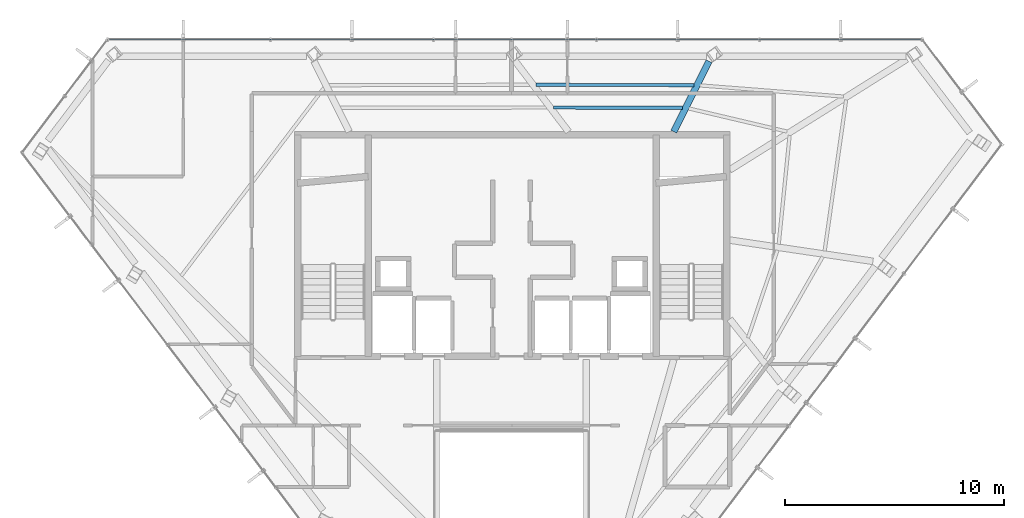
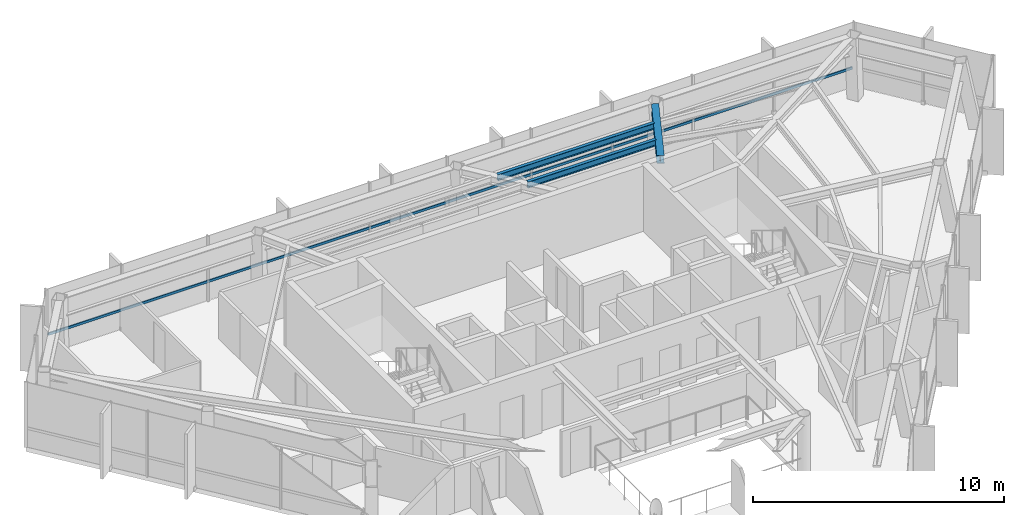
# One storey, part 14 of 25: 3 beams, 1 member, 1 element without a shape of its own.
"""IFC4 building model written with IfcOpenShell, lengths in metres."""

import ifcopenshell
import ifcopenshell.guid

model = None  # the IFC model being written
_history = None  # IfcOwnerHistory: only IFC2X3 demands one
_inside = {}  # id of a spatial element -> (the spatial element, [elements in it])
_under = {}  # id of a project, library or spatial element -> (it, [spatial elements below it])
_declared = {}  # id of a project -> (the project, [libraries it declares])
_typed = {}  # id of a type object -> (the type object, [elements of that type])
_made_of = {}  # id of a material, layer set ... -> (it, [elements and type objects made of it])


def new_model(schema):
    """Start an empty IFC model of exactly this schema.

    Asked for "IFC4X3", IfcOpenShell would pick the latest addendum, in which some entities
    have other attributes; the version numbers below select the first issue.
    IFC2X3 requires an IfcOwnerHistory on every rooted entity: one is made here for all.
    """
    global model, _history
    if schema == "IFC4X3":
        model = ifcopenshell.file(schema_version=(4, 3, 0, 0))
    else:
        model = ifcopenshell.file(schema=schema)
    _inside.clear()
    _under.clear()
    _declared.clear()
    _typed.clear()
    _made_of.clear()
    _history = None
    if model.schema == "IFC2X3":
        org = make("IfcOrganization", Name="unknown")
        user = make(
            "IfcPersonAndOrganization",
            ThePerson=make("IfcPerson", FamilyName="unknown"),
            TheOrganization=org,
        )
        app = make(
            "IfcApplication",
            ApplicationDeveloper=org,
            Version="unknown",
            ApplicationFullName="unknown",
            ApplicationIdentifier="unknown",
        )
        _history = make(
            "IfcOwnerHistory",
            OwningUser=user,
            OwningApplication=app,
            ChangeAction="ADDED",
            CreationDate=0,
        )
    return model


def make(cls, **values):
    """One entity of the class cls with the attributes given. An attribute that is None is left unset."""
    return model.create_entity(
        cls, **{name: value for name, value in values.items() if value is not None}
    )


def rooted(cls, **values):
    """An entity with a GlobalId (a new one), such as an element, a storey or a relation."""
    return make(cls, GlobalId=ifcopenshell.guid.new(), OwnerHistory=_history, **values)


def si_unit(unit_type, name, prefix=None):
    """IfcSIUnit, for example si_unit("LENGTHUNIT", "METRE", prefix="MILLI")."""
    return make("IfcSIUnit", UnitType=unit_type, Prefix=prefix, Name=name)


def assignment(units):
    """IfcUnitAssignment: the units of a project."""
    return None if units is None else make("IfcUnitAssignment", Units=units)


def point(xyz):
    """IfcCartesianPoint."""
    return None if xyz is None else make("IfcCartesianPoint", Coordinates=xyz)


def direction(xyz):
    """IfcDirection."""
    return None if xyz is None else make("IfcDirection", DirectionRatios=xyz)


def frame(location, z_axis=None, x_axis=None):
    """IfcAxis2Placement3D, a coordinate frame: its origin and axes. An axis left out is left unset."""
    return make(
        "IfcAxis2Placement3D",
        Location=point(location),
        Axis=direction(z_axis),
        RefDirection=direction(x_axis),
    )


def frame_2d(location, x_axis=None):
    """IfcAxis2Placement2D, a coordinate frame in the plane: its origin and x axis."""
    return make(
        "IfcAxis2Placement2D", Location=point(location), RefDirection=direction(x_axis)
    )


def origin():
    """The frame at (0, 0, 0) with its axes left unset."""
    return frame((0.0, 0.0, 0.0))


def origin_2d():
    """The frame at (0, 0) in the plane with its x axis left unset."""
    return frame_2d((0.0, 0.0))


def place(relative_to, where):
    """IfcLocalPlacement: puts the frame where relative to a parent placement (None: the world)."""
    return make(
        "IfcLocalPlacement", PlacementRelTo=relative_to, RelativePlacement=where
    )


def context(
    kind, dimensions, precision=None, world=None, true_north=None, identifier=None
):
    """IfcGeometricRepresentationContext, for example the 3D "Model" context."""
    return make(
        "IfcGeometricRepresentationContext",
        ContextIdentifier=identifier,
        ContextType=kind,
        CoordinateSpaceDimension=dimensions,
        Precision=precision,
        WorldCoordinateSystem=world,
        TrueNorth=true_north,
    )


def subcontext(parent, identifier, kind, view, scale=None):
    """IfcGeometricRepresentationSubContext, for example "Body" below "Model"."""
    return make(
        "IfcGeometricRepresentationSubContext",
        ContextIdentifier=identifier,
        ContextType=kind,
        ParentContext=parent,
        TargetScale=scale,
        TargetView=view,
    )


def project(units=None, contexts=None):
    """IfcProject with its units and contexts."""
    return rooted(
        "IfcProject",
        Name="project",
        RepresentationContexts=contexts,
        UnitsInContext=assignment(units),
    )


def spatial(cls, under=None, at=None, **own):
    """A site, building, storey or space (cls), placed at a placement, below another one or the project."""
    s = rooted(cls, ObjectPlacement=at, **own)
    if under is not None:
        _under.setdefault(under.id(), (under, []))[1].append(s)
    return s


def profile(cls, at=None, kind="AREA", **sizes):
    """A parametric profile (cls). Its sizes go by their IFC names, for example OverallWidth=200.0."""
    return make(cls, ProfileType=kind, Position=at, **sizes)


def hollow_rectangle(**sizes):
    """IfcRectangleHollowProfileDef."""
    return profile("IfcRectangleHollowProfileDef", **sizes)


def i_section(**sizes):
    """IfcIShapeProfileDef."""
    return profile("IfcIShapeProfileDef", **sizes)


def extrude(swept, where, along, depth):
    """IfcExtrudedAreaSolid: the profile swept, set in the frame where, extruded along a direction by depth."""
    return make(
        "IfcExtrudedAreaSolid",
        SweptArea=swept,
        Position=where,
        ExtrudedDirection=direction(along),
        Depth=depth,
    )


def shape(context_of_items, identifier, shape_type, items):
    """IfcShapeRepresentation: the items that make up one representation, for example the "Body"."""
    return make(
        "IfcShapeRepresentation",
        ContextOfItems=context_of_items,
        RepresentationIdentifier=identifier,
        RepresentationType=shape_type,
        Items=items,
    )


def material(Name=None, Category=None):
    """IfcMaterial."""
    return make("IfcMaterial", Name=Name, Category=Category)


def layer(
    of_material, thickness, ventilated=None, Name=None, Category=None, Priority=None
):
    """IfcMaterialLayer: one layer of a wall or slab, of a material (None: an air gap)."""
    return make(
        "IfcMaterialLayer",
        Material=of_material,
        LayerThickness=thickness,
        IsVentilated=ventilated,
        Name=Name,
        Category=Category,
        Priority=Priority,
    )


def layer_set(layers, Name=None):
    """IfcMaterialLayerSet."""
    return make("IfcMaterialLayerSet", MaterialLayers=layers, LayerSetName=Name)


def material_profile(
    of_material, cross_section, Name=None, Category=None, Priority=None
):
    """IfcMaterialProfile: a cross section and its material."""
    return make(
        "IfcMaterialProfile",
        Name=Name,
        Material=of_material,
        Profile=cross_section,
        Priority=Priority,
        Category=Category,
    )


def profile_set(profiles, Name=None, composite=None):
    """IfcMaterialProfileSet."""
    return make(
        "IfcMaterialProfileSet",
        Name=Name,
        MaterialProfiles=profiles,
        CompositeProfile=composite,
    )


def made_of(thing, what):
    """Note that an element or type object is made of a material, layer set ...; save() writes the relation."""
    if what is not None:
        _made_of.setdefault(what.id(), (what, []))[1].append(thing)
    return thing


def type_object(cls, material=None, **own):
    """A type object (cls), such as IfcWallType, which elements share."""
    return made_of(rooted(cls, **own), material)


def element(
    cls,
    number,
    at=None,
    inside=None,
    cuts=None,
    type_object=None,
    material=None,
    context=None,
    identifier="Body",
    shape_type=None,
    held_by="IfcProductDefinitionShape",
    body=None,
    shapes=None,
    **own,
):
    """One element of the class cls, such as IfcWall. Its Tag is "e" and its number.

    at: its placement. inside: the storey or other place that contains it. cuts: it is an
    opening in that element (IfcRelVoidsElement). A single representation is given by context,
    identifier, shape_type and body (its items); several are given by shapes. held_by: the class
    of the entity that holds the representations. save() writes the other relations.
    """
    e = rooted(cls, Tag="e%d" % number, ObjectPlacement=at, **own)
    if body is not None:
        shapes = [shape(context, identifier, shape_type, body)]
    if shapes is not None:
        e.Representation = make(held_by, Representations=shapes)
    if inside is not None:
        _inside.setdefault(inside.id(), (inside, []))[1].append(e)
    if cuts is not None:
        rooted(
            "IfcRelVoidsElement", RelatingBuildingElement=cuts, RelatedOpeningElement=e
        )
    if type_object is not None:
        _typed.setdefault(type_object.id(), (type_object, []))[1].append(e)
    return made_of(e, material)


def aggregate(whole, parts):
    """IfcRelAggregates: a whole, such as a stair, and the parts it consists of."""
    return rooted("IfcRelAggregates", RelatingObject=whole, RelatedObjects=parts)


def save(model, path):
    """Write the relations noted so far, then the file.

    IfcRelAggregates (storeys below a building ...), IfcRelContainedInSpatialStructure (elements
    in a storey), IfcRelDefinesByType, IfcRelAssociatesMaterial and IfcRelDeclares: one each for
    every whole, place, type object, material and project.
    """
    for whole, parts in _under.values():
        aggregate(whole, parts)
    for where, things in _inside.values():
        rooted(
            "IfcRelContainedInSpatialStructure",
            RelatedElements=things,
            RelatingStructure=where,
        )
    for kind, things in _typed.values():
        rooted("IfcRelDefinesByType", RelatedObjects=things, RelatingType=kind)
    for what, things in _made_of.values():
        rooted("IfcRelAssociatesMaterial", RelatedObjects=things, RelatingMaterial=what)
    for by, libraries in _declared.values():
        rooted("IfcRelDeclares", RelatingContext=by, RelatedDefinitions=libraries)
    model.write(path)


model = new_model("IFC4")

# Units and contexts
model_context = context("Model", 3, precision=1e-05, world=origin(), true_north=direction((0.0, 1.0)))
body_context = subcontext(model_context, "Body", "Model", "MODEL_VIEW")
ifc_project = project(units=[si_unit("LENGTHUNIT", "METRE"), si_unit("AREAUNIT", "SQUARE_METRE"), si_unit("VOLUMEUNIT", "CUBIC_METRE"), si_unit("PLANEANGLEUNIT", "RADIAN"), si_unit("MASSUNIT", "GRAM", prefix="KILO")], contexts=[model_context])

# Site, building, storey
site_placement = place(None, origin())
site = spatial("IfcSite", under=ifc_project, at=site_placement, CompositionType="ELEMENT")
building_placement = place(site_placement, origin())
building = spatial("IfcBuilding", under=site, at=building_placement, Name="Zarrinselat Tower", CompositionType="ELEMENT")
storey_placement = place(building_placement, frame((0.0, 0.0, 275.39990234375)))
storey = spatial("IfcBuildingStorey", under=building, at=storey_placement, Name="L70", CompositionType="ELEMENT", Elevation=275.39990234375)

# Beams
ifc_material_1 = material(Name="Steel S355J2", Category="steel")
ifc_material_profile_1 = material_profile(ifc_material_1, i_section(OverallWidth=0.300048828125, OverallDepth=0.39990234375, WebThickness=0.013427734375, FlangeThickness=0.02392578125, at=origin_2d()), Name="HEB 400")
ifc_profile_set_1 = profile_set([ifc_material_profile_1], Name="Steel S355J2")
beam_type_1 = type_object("IfcBeamType", Name="BM-HEB400", PredefinedType="BEAM", material=ifc_profile_set_1)
beam_1_placement = place(storey_placement, frame((45.800048828125, 43.5400390625, 2.97998046875), z_axis=(0.446181193945, 0.894942647419, 0.0), x_axis=(-0.894942647419, 0.446181193945, 0.0)))
element("IfcBeam", 1, at=beam_1_placement, inside=storey, type_object=beam_type_1, Name="L70 Radial Primary Girder RG02", PredefinedType="BEAM", context=body_context, shape_type="SweptSolid", body=[
    extrude(i_section(OverallWidth=0.300048828125, OverallDepth=0.39990234375, WebThickness=0.013427734375, FlangeThickness=0.02392578125, at=origin_2d()), origin(), (0.0, 0.0, 1.0), 3.595458984375),
])
ifc_material_2 = material(Name="Steel S355J2", Category="steel")
ifc_material_profile_2 = material_profile(ifc_material_2, i_section(OverallWidth=0.14990234375, OverallDepth=0.300048828125, WebThickness=0.007080078125, FlangeThickness=0.0107421875, at=origin_2d()), Name="IPE 300")
ifc_profile_set_2 = profile_set([ifc_material_profile_2], Name="Steel S355J2")
beam_type_2 = type_object("IfcBeamType", Name="BM-IPE300", PredefinedType="JOIST", material=ifc_profile_set_2)
beam_2_placement = place(storey_placement, frame((39.5244140625, 45.6796875, 3.030029296875), z_axis=(0.999997641548, -0.002171842306, 0.0), x_axis=(0.002171842306, 0.999997641548, 0.0)))
element("IfcBeam", 2, at=beam_2_placement, inside=storey, type_object=beam_type_2, Name="L70 Composite Floor Joist 6-1", PredefinedType="JOIST", context=body_context, shape_type="SweptSolid", body=[
    extrude(i_section(OverallWidth=0.14990234375, OverallDepth=0.300048828125, WebThickness=0.007080078125, FlangeThickness=0.0107421875, at=origin_2d()), origin(), (0.0, 0.0, 1.0), 7.1943359375),
])
beam_3_placement = place(storey_placement, frame((40.3076171875, 44.64208984375, 3.030029296875), z_axis=(0.999999122701, -0.001324611803, 0.0), x_axis=(0.001324611803, 0.999999122701, 0.0)))
element("IfcBeam", 3, at=beam_3_placement, inside=storey, type_object=beam_type_2, Name="L70 Composite Floor Joist 6-2", PredefinedType="JOIST", context=body_context, shape_type="SweptSolid", body=[
    extrude(i_section(OverallWidth=0.14990234375, OverallDepth=0.300048828125, WebThickness=0.007080078125, FlangeThickness=0.0107421875, at=origin_2d()), origin(), (0.0, 0.0, 1.0), 5.89794921875),
])

# Curtain wall, member
ifc_material_3 = material(Name="Extruded Aluminium Alloy EN AW-6063 T6", Category="aluminium")
ifc_layer = layer(ifc_material_3, 0.169921875)
ifc_layer_set = layer_set([ifc_layer], Name="Extruded Aluminium Alloy EN AW-6063 T6")
curtain_wall_type = type_object("IfcCurtainWallType", Name="CWS-RES", PredefinedType="NOTDEFINED", material=ifc_layer_set)
curtain_wall_placement = place(storey_placement, origin())
curtain_wall = element("IfcCurtainWall", 4, at=curtain_wall_placement, inside=storey, type_object=curtain_wall_type, Name="L70 Unitised Curtain Wall CW-L70-E01", PredefinedType="NOTDEFINED")
ifc_material_4 = material(Name="Extruded Aluminium Alloy EN AW-6063 T6", Category="aluminium")
ifc_material_profile_3 = material_profile(ifc_material_4, hollow_rectangle(XDim=0.06005859375, YDim=0.1201171875, WallThickness=0.00390625, at=origin_2d()), Name="RHS 120x60x4")
ifc_profile_set_3 = profile_set([ifc_material_profile_3], Name="Extruded Aluminium Alloy EN AW-6063 T6")
member_type = type_object("IfcMemberType", Name="MEM-CW-TRN2", PredefinedType="USERDEFINED", material=ifc_profile_set_3)
member_placement = place(storey_placement, frame((57.0361328125, 47.75, 0.9501953125), z_axis=(-1.0, 0.0, 0.0), x_axis=(0.0, -1.0, 0.0)))
member = element("IfcMember", 5, at=member_placement, type_object=member_type, Name="CW-L70-E01 Transom 1", ObjectType="TRANSOM", PredefinedType="USERDEFINED", context=body_context, shape_type="SweptSolid", body=[
    extrude(hollow_rectangle(XDim=0.06005859375, YDim=0.1201171875, WallThickness=0.00390625, at=origin_2d()), origin(), (0.0, 0.0, 1.0), 36.96240234375),
])
aggregate(curtain_wall, [member])

save(model, "model.ifc")
